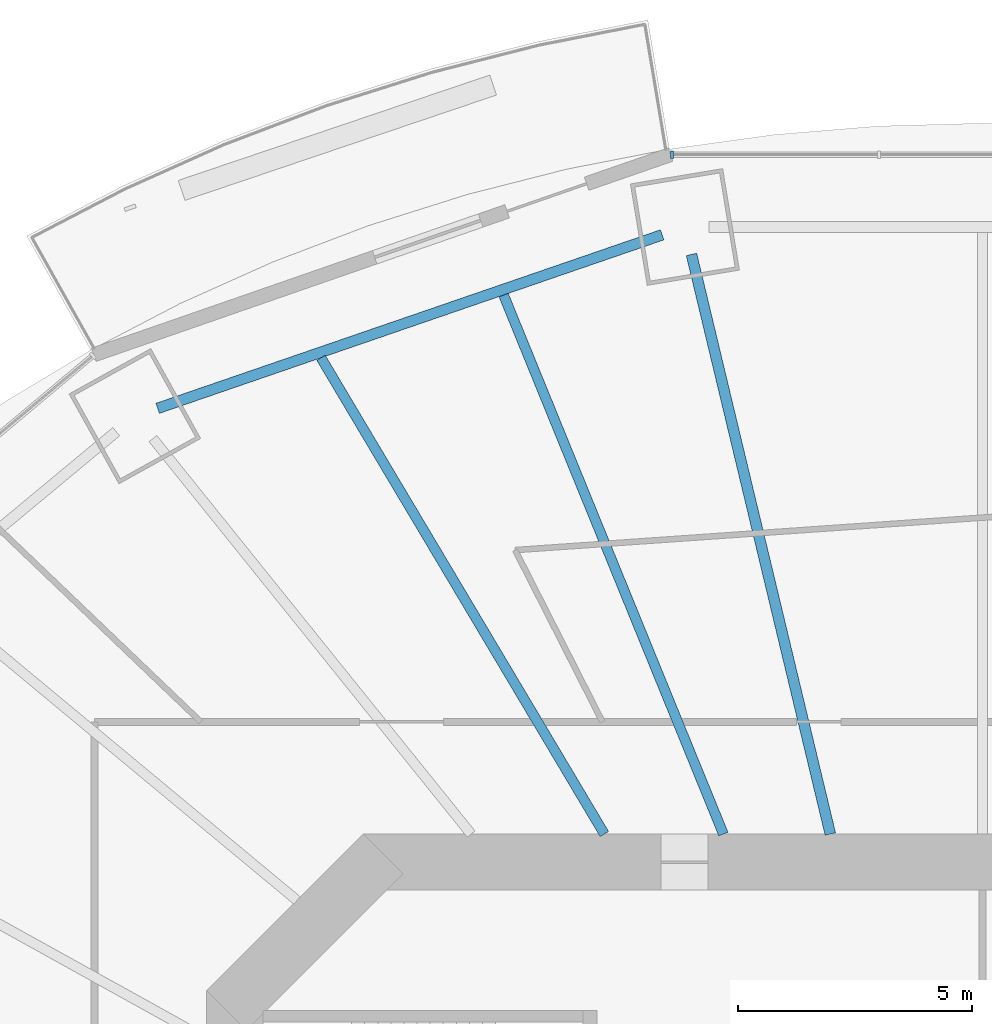
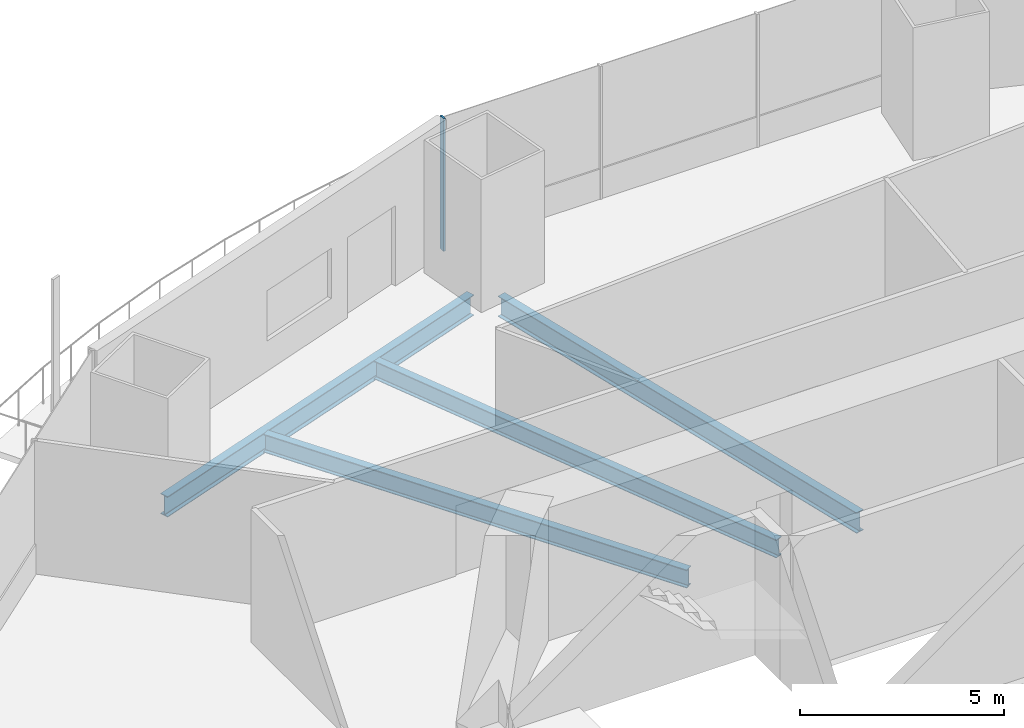
# One storey, part 7 of 22: 4 beams, 1 member, 1 element without a shape of its own.
"""IFC4 building model written with IfcOpenShell, lengths in metres."""

import ifcopenshell
import ifcopenshell.guid

model = None  # the IFC model being written
_history = None  # IfcOwnerHistory: only IFC2X3 demands one
_inside = {}  # id of a spatial element -> (the spatial element, [elements in it])
_under = {}  # id of a project, library or spatial element -> (it, [spatial elements below it])
_declared = {}  # id of a project -> (the project, [libraries it declares])
_typed = {}  # id of a type object -> (the type object, [elements of that type])
_made_of = {}  # id of a material, layer set ... -> (it, [elements and type objects made of it])


def new_model(schema):
    """Start an empty IFC model of exactly this schema.

    Asked for "IFC4X3", IfcOpenShell would pick the latest addendum, in which some entities
    have other attributes; the version numbers below select the first issue.
    IFC2X3 requires an IfcOwnerHistory on every rooted entity: one is made here for all.
    """
    global model, _history
    if schema == "IFC4X3":
        model = ifcopenshell.file(schema_version=(4, 3, 0, 0))
    else:
        model = ifcopenshell.file(schema=schema)
    _inside.clear()
    _under.clear()
    _declared.clear()
    _typed.clear()
    _made_of.clear()
    _history = None
    if model.schema == "IFC2X3":
        org = make("IfcOrganization", Name="unknown")
        user = make(
            "IfcPersonAndOrganization",
            ThePerson=make("IfcPerson", FamilyName="unknown"),
            TheOrganization=org,
        )
        app = make(
            "IfcApplication",
            ApplicationDeveloper=org,
            Version="unknown",
            ApplicationFullName="unknown",
            ApplicationIdentifier="unknown",
        )
        _history = make(
            "IfcOwnerHistory",
            OwningUser=user,
            OwningApplication=app,
            ChangeAction="ADDED",
            CreationDate=0,
        )
    return model


def make(cls, **values):
    """One entity of the class cls with the attributes given. An attribute that is None is left unset."""
    return model.create_entity(
        cls, **{name: value for name, value in values.items() if value is not None}
    )


def rooted(cls, **values):
    """An entity with a GlobalId (a new one), such as an element, a storey or a relation."""
    return make(cls, GlobalId=ifcopenshell.guid.new(), OwnerHistory=_history, **values)


def si_unit(unit_type, name, prefix=None):
    """IfcSIUnit, for example si_unit("LENGTHUNIT", "METRE", prefix="MILLI")."""
    return make("IfcSIUnit", UnitType=unit_type, Prefix=prefix, Name=name)


def assignment(units):
    """IfcUnitAssignment: the units of a project."""
    return None if units is None else make("IfcUnitAssignment", Units=units)


def point(xyz):
    """IfcCartesianPoint."""
    return None if xyz is None else make("IfcCartesianPoint", Coordinates=xyz)


def direction(xyz):
    """IfcDirection."""
    return None if xyz is None else make("IfcDirection", DirectionRatios=xyz)


def frame(location, z_axis=None, x_axis=None):
    """IfcAxis2Placement3D, a coordinate frame: its origin and axes. An axis left out is left unset."""
    return make(
        "IfcAxis2Placement3D",
        Location=point(location),
        Axis=direction(z_axis),
        RefDirection=direction(x_axis),
    )


def frame_2d(location, x_axis=None):
    """IfcAxis2Placement2D, a coordinate frame in the plane: its origin and x axis."""
    return make(
        "IfcAxis2Placement2D", Location=point(location), RefDirection=direction(x_axis)
    )


def origin():
    """The frame at (0, 0, 0) with its axes left unset."""
    return frame((0.0, 0.0, 0.0))


def origin_2d():
    """The frame at (0, 0) in the plane with its x axis left unset."""
    return frame_2d((0.0, 0.0))


def place(relative_to, where):
    """IfcLocalPlacement: puts the frame where relative to a parent placement (None: the world)."""
    return make(
        "IfcLocalPlacement", PlacementRelTo=relative_to, RelativePlacement=where
    )


def context(
    kind, dimensions, precision=None, world=None, true_north=None, identifier=None
):
    """IfcGeometricRepresentationContext, for example the 3D "Model" context."""
    return make(
        "IfcGeometricRepresentationContext",
        ContextIdentifier=identifier,
        ContextType=kind,
        CoordinateSpaceDimension=dimensions,
        Precision=precision,
        WorldCoordinateSystem=world,
        TrueNorth=true_north,
    )


def subcontext(parent, identifier, kind, view, scale=None):
    """IfcGeometricRepresentationSubContext, for example "Body" below "Model"."""
    return make(
        "IfcGeometricRepresentationSubContext",
        ContextIdentifier=identifier,
        ContextType=kind,
        ParentContext=parent,
        TargetScale=scale,
        TargetView=view,
    )


def project(units=None, contexts=None):
    """IfcProject with its units and contexts."""
    return rooted(
        "IfcProject",
        Name="project",
        RepresentationContexts=contexts,
        UnitsInContext=assignment(units),
    )


def spatial(cls, under=None, at=None, **own):
    """A site, building, storey or space (cls), placed at a placement, below another one or the project."""
    s = rooted(cls, ObjectPlacement=at, **own)
    if under is not None:
        _under.setdefault(under.id(), (under, []))[1].append(s)
    return s


def profile(cls, at=None, kind="AREA", **sizes):
    """A parametric profile (cls). Its sizes go by their IFC names, for example OverallWidth=200.0."""
    return make(cls, ProfileType=kind, Position=at, **sizes)


def rectangle(**sizes):
    """IfcRectangleProfileDef."""
    return profile("IfcRectangleProfileDef", **sizes)


def i_section(**sizes):
    """IfcIShapeProfileDef."""
    return profile("IfcIShapeProfileDef", **sizes)


def extrude(swept, where, along, depth):
    """IfcExtrudedAreaSolid: the profile swept, set in the frame where, extruded along a direction by depth."""
    return make(
        "IfcExtrudedAreaSolid",
        SweptArea=swept,
        Position=where,
        ExtrudedDirection=direction(along),
        Depth=depth,
    )


def shape(context_of_items, identifier, shape_type, items):
    """IfcShapeRepresentation: the items that make up one representation, for example the "Body"."""
    return make(
        "IfcShapeRepresentation",
        ContextOfItems=context_of_items,
        RepresentationIdentifier=identifier,
        RepresentationType=shape_type,
        Items=items,
    )


def material(Name=None, Category=None):
    """IfcMaterial."""
    return make("IfcMaterial", Name=Name, Category=Category)


def material_profile(
    of_material, cross_section, Name=None, Category=None, Priority=None
):
    """IfcMaterialProfile: a cross section and its material."""
    return make(
        "IfcMaterialProfile",
        Name=Name,
        Material=of_material,
        Profile=cross_section,
        Priority=Priority,
        Category=Category,
    )


def profile_set(profiles, Name=None, composite=None):
    """IfcMaterialProfileSet."""
    return make(
        "IfcMaterialProfileSet",
        Name=Name,
        MaterialProfiles=profiles,
        CompositeProfile=composite,
    )


def made_of(thing, what):
    """Note that an element or type object is made of a material, layer set ...; save() writes the relation."""
    if what is not None:
        _made_of.setdefault(what.id(), (what, []))[1].append(thing)
    return thing


def type_object(cls, material=None, **own):
    """A type object (cls), such as IfcWallType, which elements share."""
    return made_of(rooted(cls, **own), material)


def element(
    cls,
    number,
    at=None,
    inside=None,
    cuts=None,
    type_object=None,
    material=None,
    context=None,
    identifier="Body",
    shape_type=None,
    held_by="IfcProductDefinitionShape",
    body=None,
    shapes=None,
    **own,
):
    """One element of the class cls, such as IfcWall. Its Tag is "e" and its number.

    at: its placement. inside: the storey or other place that contains it. cuts: it is an
    opening in that element (IfcRelVoidsElement). A single representation is given by context,
    identifier, shape_type and body (its items); several are given by shapes. held_by: the class
    of the entity that holds the representations. save() writes the other relations.
    """
    e = rooted(cls, Tag="e%d" % number, ObjectPlacement=at, **own)
    if body is not None:
        shapes = [shape(context, identifier, shape_type, body)]
    if shapes is not None:
        e.Representation = make(held_by, Representations=shapes)
    if inside is not None:
        _inside.setdefault(inside.id(), (inside, []))[1].append(e)
    if cuts is not None:
        rooted(
            "IfcRelVoidsElement", RelatingBuildingElement=cuts, RelatedOpeningElement=e
        )
    if type_object is not None:
        _typed.setdefault(type_object.id(), (type_object, []))[1].append(e)
    return made_of(e, material)


def aggregate(whole, parts):
    """IfcRelAggregates: a whole, such as a stair, and the parts it consists of."""
    return rooted("IfcRelAggregates", RelatingObject=whole, RelatedObjects=parts)


def save(model, path):
    """Write the relations noted so far, then the file.

    IfcRelAggregates (storeys below a building ...), IfcRelContainedInSpatialStructure (elements
    in a storey), IfcRelDefinesByType, IfcRelAssociatesMaterial and IfcRelDeclares: one each for
    every whole, place, type object, material and project.
    """
    for whole, parts in _under.values():
        aggregate(whole, parts)
    for where, things in _inside.values():
        rooted(
            "IfcRelContainedInSpatialStructure",
            RelatedElements=things,
            RelatingStructure=where,
        )
    for kind, things in _typed.values():
        rooted("IfcRelDefinesByType", RelatedObjects=things, RelatingType=kind)
    for what, things in _made_of.values():
        rooted("IfcRelAssociatesMaterial", RelatedObjects=things, RelatingMaterial=what)
    for by, libraries in _declared.values():
        rooted("IfcRelDeclares", RelatingContext=by, RelatedDefinitions=libraries)
    model.write(path)


model = new_model("IFC4")

# Units and contexts
model_context = context("Model", 3, precision=1e-05, world=origin(), true_north=direction((0.0, 1.0)))
body_context = subcontext(model_context, "Body", "Model", "MODEL_VIEW")
ifc_project = project(units=[si_unit("LENGTHUNIT", "METRE"), si_unit("AREAUNIT", "SQUARE_METRE"), si_unit("VOLUMEUNIT", "CUBIC_METRE"), si_unit("PLANEANGLEUNIT", "RADIAN"), si_unit("MASSUNIT", "GRAM", prefix="KILO")], contexts=[model_context])

# Site, building, storey
site_placement = place(None, origin())
site = spatial("IfcSite", under=ifc_project, at=site_placement, CompositionType="ELEMENT")
building_placement = place(site_placement, origin())
building = spatial("IfcBuilding", under=site, at=building_placement, Name="Marenthal Gate Tower", CompositionType="ELEMENT")
storey_placement = place(building_placement, frame((0.0, 0.0, 116.0)))
storey = spatial("IfcBuildingStorey", under=building, at=storey_placement, Name="L24", CompositionType="ELEMENT", Elevation=116.0)

# Curtain wall, member
ifc_material_1 = material(Name="Aluminium and glass", Category="aluminium")
curtain_wall_type = type_object("IfcCurtainWallType", Name="Curtain wall typical low", PredefinedType="NOTDEFINED", material=ifc_material_1)
curtain_wall_placement = place(storey_placement, origin())
curtain_wall = element("IfcCurtainWall", 1, at=curtain_wall_placement, inside=storey, type_object=curtain_wall_type, Name="Curtain wall L24 bay 4", PredefinedType="NOTDEFINED")
ifc_material_2 = material(Name="Aluminium", Category="aluminium")
ifc_material_profile_1 = material_profile(ifc_material_2, rectangle(XDim=0.159912109375, YDim=0.06005859375, at=origin_2d()), Name="60x160 aluminium mullion")
ifc_profile_set_1 = profile_set([ifc_material_profile_1], Name="Aluminium")
member_type = type_object("IfcMemberType", Name="Mullion 60x160 typical low", PredefinedType="MULLION", material=ifc_profile_set_1)
member_placement = place(storey_placement, frame((-6.647216796875, 28.13671875, 0.0), z_axis=(0.0, 0.0, 1.0), x_axis=(0.0, -1.0, 0.0)))
member = element("IfcMember", 2, at=member_placement, type_object=member_type, Name="Mullion L24 bay 4.4", PredefinedType="MULLION", context=body_context, shape_type="SweptSolid", body=[
    extrude(rectangle(XDim=0.159912109375, YDim=0.06005859375, at=origin_2d()), origin(), (0.0, 0.0, 1.0), 3.969970703125),
])
aggregate(curtain_wall, [member])

# Beams
ifc_material_3 = material(Name="Steel S355", Category="steel")
ifc_material_profile_2 = material_profile(ifc_material_3, i_section(OverallWidth=0.2119140625, OverallDepth=0.5439453125, WebThickness=0.01318359375, FlangeThickness=0.021240234375, FilletRadius=0.0126953125, at=origin_2d()), Name="W530X123")
ifc_profile_set_2 = profile_set([ifc_material_profile_2], Name="Steel S355")
beam_type_1 = type_object("IfcBeamType", Name="W530X123 beam", PredefinedType="BEAM", material=ifc_profile_set_2)
beam_1_placement = place(storey_placement, frame((-10.248291015625, 25.131591796875, -0.451904296875), z_axis=(0.377598266022, -0.925969518665, 0.0), x_axis=(0.925969518665, 0.377598266022, 0.0)))
element("IfcBeam", 3, at=beam_1_placement, inside=storey, type_object=beam_type_1, Name="BM-L24-23", PredefinedType="BEAM", context=body_context, shape_type="SweptSolid", body=[
    extrude(i_section(OverallWidth=0.2119140625, OverallDepth=0.5439453125, WebThickness=0.01318359375, FlangeThickness=0.021240234375, FilletRadius=0.0126953125, at=origin_2d()), origin(), (0.0, 0.0, 1.0), 12.453369140625),
])
beam_2_placement = place(storey_placement, frame((-14.154541015625, 23.7880859375, -0.451904296875), z_axis=(0.511357862228, -0.859367870436, 0.0), x_axis=(0.859367870436, 0.511357862228, 0.0)))
element("IfcBeam", 4, at=beam_2_placement, inside=storey, type_object=beam_type_1, Name="BM-L24-24", PredefinedType="BEAM", context=body_context, shape_type="SweptSolid", body=[
    extrude(i_section(OverallWidth=0.2119140625, OverallDepth=0.5439453125, WebThickness=0.01318359375, FlangeThickness=0.021240234375, FilletRadius=0.0126953125, at=origin_2d()), origin(), (0.0, 0.0, 1.0), 11.855224609375),
])
ifc_material_4 = material(Name="Steel S355", Category="steel")
ifc_material_profile_3 = material_profile(ifc_material_4, i_section(OverallWidth=0.22900390625, OverallDepth=0.612060546875, WebThickness=0.011962890625, FlangeThickness=0.01953125, FilletRadius=0.0126953125, at=origin_2d()), Name="W610X125")
ifc_profile_set_3 = profile_set([ifc_material_profile_3], Name="Steel S355")
beam_type_2 = type_object("IfcBeamType", Name="W610X125 beam", PredefinedType="BEAM", material=ifc_profile_set_3)
beam_3_placement = place(storey_placement, frame((-6.228515625, 26.000732421875, -0.486083984375), z_axis=(0.232968867139, -0.972484193673, 0.0), x_axis=(0.972484193673, 0.232968867139, 0.0)))
element("IfcBeam", 5, at=beam_3_placement, inside=storey, type_object=beam_type_2, Name="BM-L24-05", PredefinedType="BEAM", context=body_context, shape_type="SweptSolid", body=[
    extrude(i_section(OverallWidth=0.22900390625, OverallDepth=0.612060546875, WebThickness=0.011962890625, FlangeThickness=0.01953125, FilletRadius=0.0126953125, at=origin_2d()), origin(), (0.0, 0.0, 1.0), 12.75146484375),
])
beam_4_placement = place(storey_placement, frame((-6.855224609375, 26.419921875, -0.486083984375), z_axis=(-0.945631108542, -0.325241151391, 0.0), x_axis=(0.325241151391, -0.945631108542, 0.0)))
element("IfcBeam", 6, at=beam_4_placement, inside=storey, type_object=beam_type_2, Name="BM-L24-45", PredefinedType="BEAM", context=body_context, shape_type="SweptSolid", body=[
    extrude(i_section(OverallWidth=0.22900390625, OverallDepth=0.612060546875, WebThickness=0.011962890625, FlangeThickness=0.01953125, FilletRadius=0.0126953125, at=origin_2d()), origin(), (0.0, 0.0, 1.0), 11.4150390625),
])

save(model, "model.ifc")
